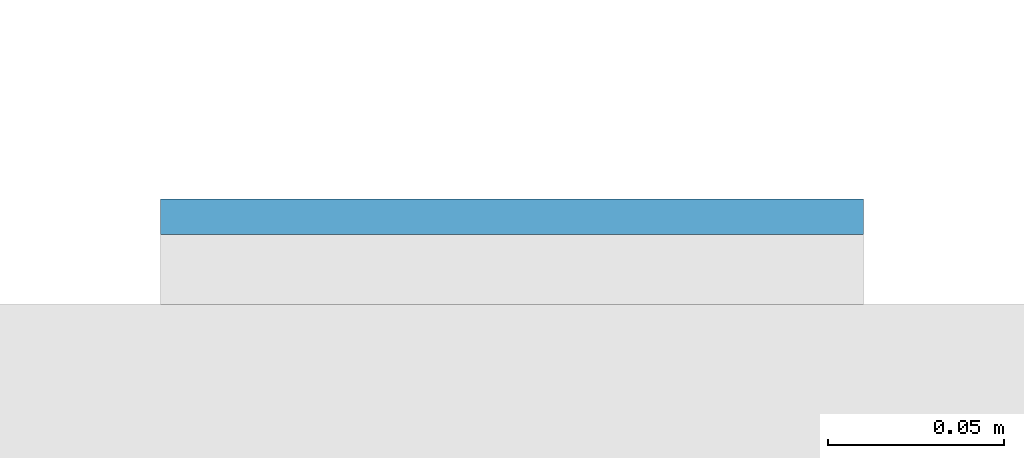
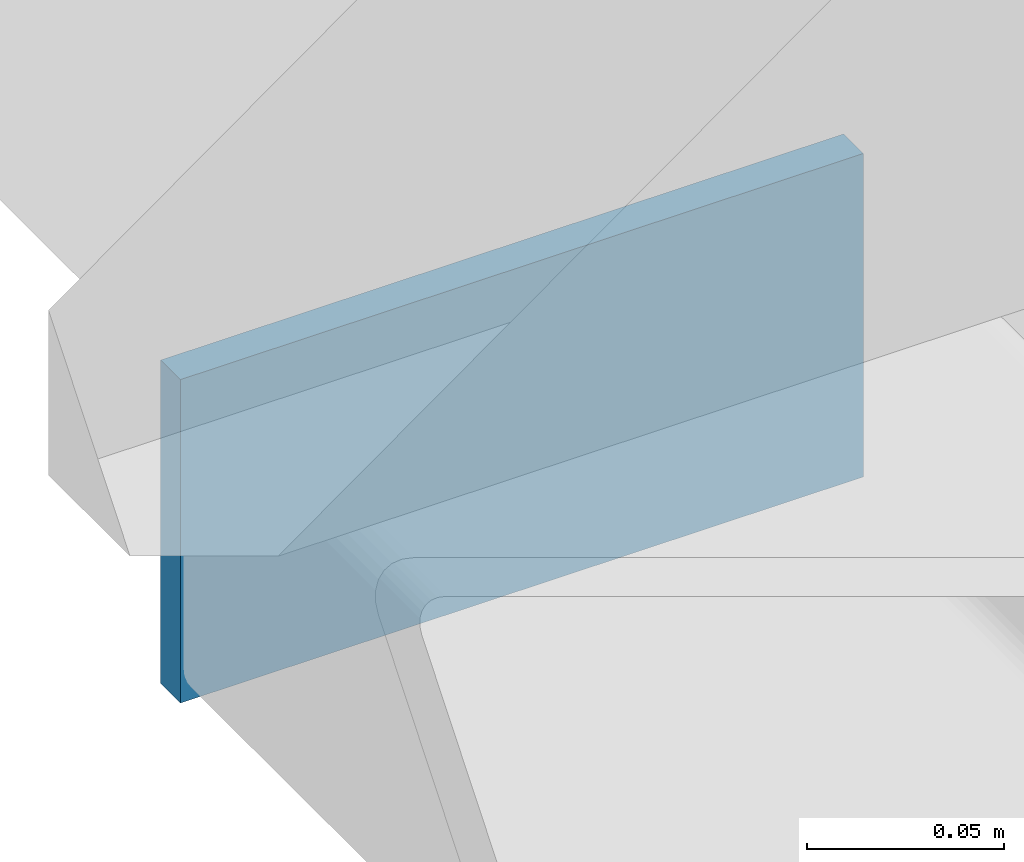
# One storey, part 8 of 15: 1 plate.
"""IFC4 building model written with IfcOpenShell, lengths in metres."""

import ifcopenshell
import ifcopenshell.guid

model = None  # the IFC model being written
_history = None  # IfcOwnerHistory: only IFC2X3 demands one
_inside = {}  # id of a spatial element -> (the spatial element, [elements in it])
_under = {}  # id of a project, library or spatial element -> (it, [spatial elements below it])
_declared = {}  # id of a project -> (the project, [libraries it declares])
_typed = {}  # id of a type object -> (the type object, [elements of that type])
_made_of = {}  # id of a material, layer set ... -> (it, [elements and type objects made of it])


def new_model(schema):
    """Start an empty IFC model of exactly this schema.

    Asked for "IFC4X3", IfcOpenShell would pick the latest addendum, in which some entities
    have other attributes; the version numbers below select the first issue.
    IFC2X3 requires an IfcOwnerHistory on every rooted entity: one is made here for all.
    """
    global model, _history
    if schema == "IFC4X3":
        model = ifcopenshell.file(schema_version=(4, 3, 0, 0))
    else:
        model = ifcopenshell.file(schema=schema)
    _inside.clear()
    _under.clear()
    _declared.clear()
    _typed.clear()
    _made_of.clear()
    _history = None
    if model.schema == "IFC2X3":
        org = make("IfcOrganization", Name="unknown")
        user = make(
            "IfcPersonAndOrganization",
            ThePerson=make("IfcPerson", FamilyName="unknown"),
            TheOrganization=org,
        )
        app = make(
            "IfcApplication",
            ApplicationDeveloper=org,
            Version="unknown",
            ApplicationFullName="unknown",
            ApplicationIdentifier="unknown",
        )
        _history = make(
            "IfcOwnerHistory",
            OwningUser=user,
            OwningApplication=app,
            ChangeAction="ADDED",
            CreationDate=0,
        )
    return model


def make(cls, **values):
    """One entity of the class cls with the attributes given. An attribute that is None is left unset."""
    return model.create_entity(
        cls, **{name: value for name, value in values.items() if value is not None}
    )


def rooted(cls, **values):
    """An entity with a GlobalId (a new one), such as an element, a storey or a relation."""
    return make(cls, GlobalId=ifcopenshell.guid.new(), OwnerHistory=_history, **values)


def si_unit(unit_type, name, prefix=None):
    """IfcSIUnit, for example si_unit("LENGTHUNIT", "METRE", prefix="MILLI")."""
    return make("IfcSIUnit", UnitType=unit_type, Prefix=prefix, Name=name)


def assignment(units):
    """IfcUnitAssignment: the units of a project."""
    return None if units is None else make("IfcUnitAssignment", Units=units)


def point(xyz):
    """IfcCartesianPoint."""
    return None if xyz is None else make("IfcCartesianPoint", Coordinates=xyz)


def direction(xyz):
    """IfcDirection."""
    return None if xyz is None else make("IfcDirection", DirectionRatios=xyz)


def frame(location, z_axis=None, x_axis=None):
    """IfcAxis2Placement3D, a coordinate frame: its origin and axes. An axis left out is left unset."""
    return make(
        "IfcAxis2Placement3D",
        Location=point(location),
        Axis=direction(z_axis),
        RefDirection=direction(x_axis),
    )


def frame_2d(location, x_axis=None):
    """IfcAxis2Placement2D, a coordinate frame in the plane: its origin and x axis."""
    return make(
        "IfcAxis2Placement2D", Location=point(location), RefDirection=direction(x_axis)
    )


def origin():
    """The frame at (0, 0, 0) with its axes left unset."""
    return frame((0.0, 0.0, 0.0))


def origin_2d():
    """The frame at (0, 0) in the plane with its x axis left unset."""
    return frame_2d((0.0, 0.0))


def place(relative_to, where):
    """IfcLocalPlacement: puts the frame where relative to a parent placement (None: the world)."""
    return make(
        "IfcLocalPlacement", PlacementRelTo=relative_to, RelativePlacement=where
    )


def context(
    kind, dimensions, precision=None, world=None, true_north=None, identifier=None
):
    """IfcGeometricRepresentationContext, for example the 3D "Model" context."""
    return make(
        "IfcGeometricRepresentationContext",
        ContextIdentifier=identifier,
        ContextType=kind,
        CoordinateSpaceDimension=dimensions,
        Precision=precision,
        WorldCoordinateSystem=world,
        TrueNorth=true_north,
    )


def subcontext(parent, identifier, kind, view, scale=None):
    """IfcGeometricRepresentationSubContext, for example "Body" below "Model"."""
    return make(
        "IfcGeometricRepresentationSubContext",
        ContextIdentifier=identifier,
        ContextType=kind,
        ParentContext=parent,
        TargetScale=scale,
        TargetView=view,
    )


def project(units=None, contexts=None):
    """IfcProject with its units and contexts."""
    return rooted(
        "IfcProject",
        Name="project",
        RepresentationContexts=contexts,
        UnitsInContext=assignment(units),
    )


def spatial(cls, under=None, at=None, **own):
    """A site, building, storey or space (cls), placed at a placement, below another one or the project."""
    s = rooted(cls, ObjectPlacement=at, **own)
    if under is not None:
        _under.setdefault(under.id(), (under, []))[1].append(s)
    return s


def profile(cls, at=None, kind="AREA", **sizes):
    """A parametric profile (cls). Its sizes go by their IFC names, for example OverallWidth=200.0."""
    return make(cls, ProfileType=kind, Position=at, **sizes)


def rectangle(**sizes):
    """IfcRectangleProfileDef."""
    return profile("IfcRectangleProfileDef", **sizes)


def extrude(swept, where, along, depth):
    """IfcExtrudedAreaSolid: the profile swept, set in the frame where, extruded along a direction by depth."""
    return make(
        "IfcExtrudedAreaSolid",
        SweptArea=swept,
        Position=where,
        ExtrudedDirection=direction(along),
        Depth=depth,
    )


def shape(context_of_items, identifier, shape_type, items):
    """IfcShapeRepresentation: the items that make up one representation, for example the "Body"."""
    return make(
        "IfcShapeRepresentation",
        ContextOfItems=context_of_items,
        RepresentationIdentifier=identifier,
        RepresentationType=shape_type,
        Items=items,
    )


def material(Name=None, Category=None):
    """IfcMaterial."""
    return make("IfcMaterial", Name=Name, Category=Category)


def layer(
    of_material, thickness, ventilated=None, Name=None, Category=None, Priority=None
):
    """IfcMaterialLayer: one layer of a wall or slab, of a material (None: an air gap)."""
    return make(
        "IfcMaterialLayer",
        Material=of_material,
        LayerThickness=thickness,
        IsVentilated=ventilated,
        Name=Name,
        Category=Category,
        Priority=Priority,
    )


def layer_set(layers, Name=None):
    """IfcMaterialLayerSet."""
    return make("IfcMaterialLayerSet", MaterialLayers=layers, LayerSetName=Name)


def made_of(thing, what):
    """Note that an element or type object is made of a material, layer set ...; save() writes the relation."""
    if what is not None:
        _made_of.setdefault(what.id(), (what, []))[1].append(thing)
    return thing


def type_object(cls, material=None, **own):
    """A type object (cls), such as IfcWallType, which elements share."""
    return made_of(rooted(cls, **own), material)


def element(
    cls,
    number,
    at=None,
    inside=None,
    cuts=None,
    type_object=None,
    material=None,
    context=None,
    identifier="Body",
    shape_type=None,
    held_by="IfcProductDefinitionShape",
    body=None,
    shapes=None,
    **own,
):
    """One element of the class cls, such as IfcWall. Its Tag is "e" and its number.

    at: its placement. inside: the storey or other place that contains it. cuts: it is an
    opening in that element (IfcRelVoidsElement). A single representation is given by context,
    identifier, shape_type and body (its items); several are given by shapes. held_by: the class
    of the entity that holds the representations. save() writes the other relations.
    """
    e = rooted(cls, Tag="e%d" % number, ObjectPlacement=at, **own)
    if body is not None:
        shapes = [shape(context, identifier, shape_type, body)]
    if shapes is not None:
        e.Representation = make(held_by, Representations=shapes)
    if inside is not None:
        _inside.setdefault(inside.id(), (inside, []))[1].append(e)
    if cuts is not None:
        rooted(
            "IfcRelVoidsElement", RelatingBuildingElement=cuts, RelatedOpeningElement=e
        )
    if type_object is not None:
        _typed.setdefault(type_object.id(), (type_object, []))[1].append(e)
    return made_of(e, material)


def aggregate(whole, parts):
    """IfcRelAggregates: a whole, such as a stair, and the parts it consists of."""
    return rooted("IfcRelAggregates", RelatingObject=whole, RelatedObjects=parts)


def save(model, path):
    """Write the relations noted so far, then the file.

    IfcRelAggregates (storeys below a building ...), IfcRelContainedInSpatialStructure (elements
    in a storey), IfcRelDefinesByType, IfcRelAssociatesMaterial and IfcRelDeclares: one each for
    every whole, place, type object, material and project.
    """
    for whole, parts in _under.values():
        aggregate(whole, parts)
    for where, things in _inside.values():
        rooted(
            "IfcRelContainedInSpatialStructure",
            RelatedElements=things,
            RelatingStructure=where,
        )
    for kind, things in _typed.values():
        rooted("IfcRelDefinesByType", RelatedObjects=things, RelatingType=kind)
    for what, things in _made_of.values():
        rooted("IfcRelAssociatesMaterial", RelatedObjects=things, RelatingMaterial=what)
    for by, libraries in _declared.values():
        rooted("IfcRelDeclares", RelatingContext=by, RelatedDefinitions=libraries)
    model.write(path)


model = new_model("IFC4")

# Units and contexts
model_context = context("Model", 3, precision=1e-05, world=origin(), true_north=direction((0.0, 1.0)))
body_context = subcontext(model_context, "Body", "Model", "MODEL_VIEW")
ifc_project = project(units=[si_unit("LENGTHUNIT", "METRE"), si_unit("AREAUNIT", "SQUARE_METRE"), si_unit("VOLUMEUNIT", "CUBIC_METRE"), si_unit("PLANEANGLEUNIT", "RADIAN"), si_unit("MASSUNIT", "GRAM", prefix="KILO")], contexts=[model_context])

# Site, building, storey
site_placement = place(None, origin())
site = spatial("IfcSite", under=ifc_project, at=site_placement, CompositionType="ELEMENT")
building_placement = place(site_placement, origin())
building = spatial("IfcBuilding", under=site, at=building_placement, Name="Cleftline Residences", CompositionType="ELEMENT")
storey_placement = place(building_placement, frame((0.0, 0.0, 171.800048828125)))
storey = spatial("IfcBuildingStorey", under=building, at=storey_placement, Name="L45", CompositionType="ELEMENT", Elevation=171.800048828125)

# Plate
ifc_material = material(Name="Steel S355, hot-dip galvanised", Category="steel")
ifc_layer = layer(ifc_material, 0.010009765625)
ifc_layer_set = layer_set([ifc_layer], Name="BAGUETTE CARRIER END PLATE 200X100X10")
plate_type = type_object("IfcPlateType", Name="BAGUETTE CARRIER END PLATE 200X100X10", PredefinedType="USERDEFINED", material=ifc_layer_set)
plate_placement = place(storey_placement, frame((-0.85009765625, 44.304931640625, -0.10009765625), z_axis=(0.0, 0.0, 1.0), x_axis=(-1.0, 0.0, 0.0)))
element("IfcPlate", 1, at=plate_placement, inside=storey, type_object=plate_type, Name="Baguette carrier end plate", ObjectType="BAGUETTE CARRIER END PLATE", PredefinedType="USERDEFINED", context=body_context, shape_type="SweptSolid", body=[
    extrude(rectangle(XDim=0.199951171875, YDim=0.010009765625, at=origin_2d()), origin(), (0.0, 0.0, 1.0), 0.10009765625),
])

save(model, "model.ifc")
